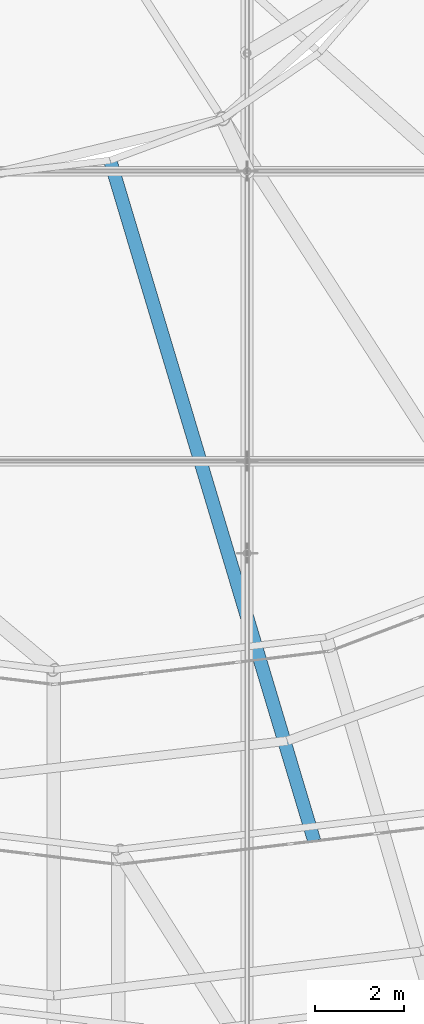
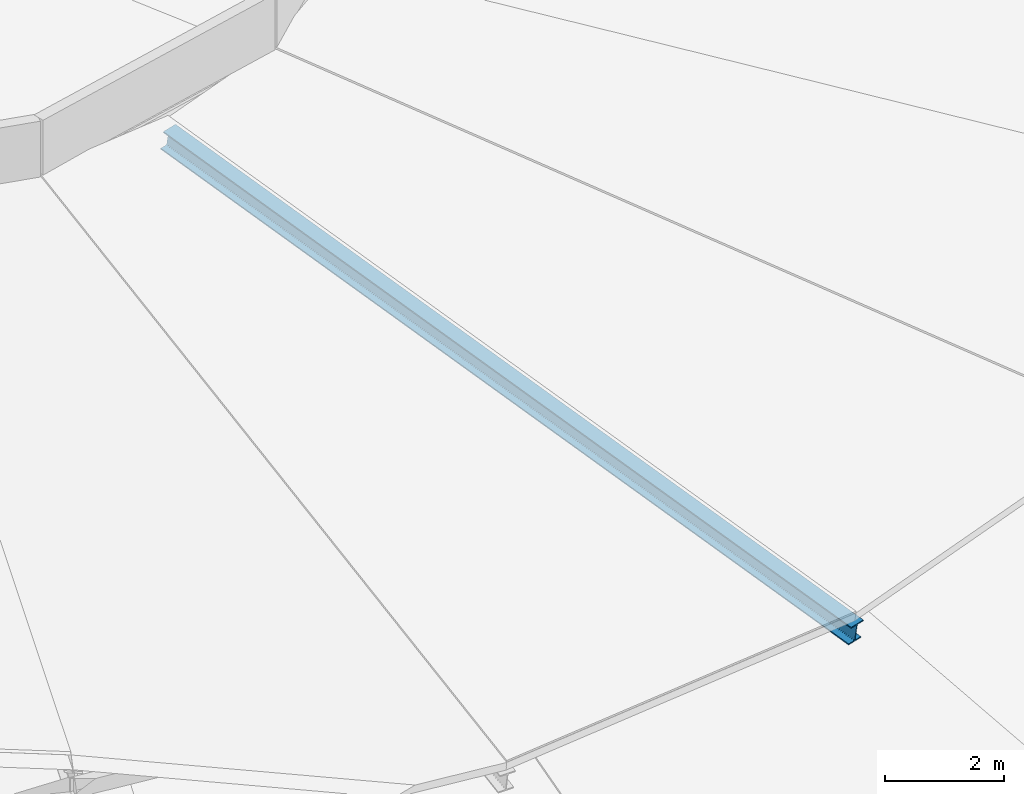
# One storey, part 25 of 173: 1 member.
"""IFC4 building model written with IfcOpenShell, lengths in metres."""

from ifc_helpers import new_model, si_unit, direction, frame, origin, origin_2d, place, context, subcontext, project, spatial, i_section, extrude, material, material_profile, profile_set, type_object, element, save


model = new_model("IFC4")

# Units and contexts
model_context = context("Model", 3, precision=1e-05, world=origin(), true_north=direction((0.0, 1.0)))
body_context = subcontext(model_context, "Body", "Model", "MODEL_VIEW")
ifc_project = project(units=[si_unit("LENGTHUNIT", "METRE"), si_unit("AREAUNIT", "SQUARE_METRE"), si_unit("VOLUMEUNIT", "CUBIC_METRE"), si_unit("PLANEANGLEUNIT", "RADIAN"), si_unit("MASSUNIT", "GRAM", prefix="KILO")], contexts=[model_context])

# Site, building, storey
site_placement = place(None, origin())
site = spatial("IfcSite", under=ifc_project, at=site_placement, CompositionType="ELEMENT")
building_placement = place(site_placement, origin())
building = spatial("IfcBuilding", under=site, at=building_placement, Name="Glasvene Arena", CompositionType="ELEMENT")
storey_placement = place(building_placement, frame((0.0, 0.0, 28.800048828125)))
storey = spatial("IfcBuildingStorey", under=building, at=storey_placement, Name="RF", CompositionType="ELEMENT", Elevation=28.800048828125)

# Member
ifc_material = material(Name="Steel S355J2", Category="steel")
ifc_material_profile = material_profile(ifc_material, i_section(OverallWidth=0.300048828125, OverallDepth=0.39990234375, WebThickness=0.013427734375, FlangeThickness=0.02392578125, FilletRadius=0.027099609375, at=origin_2d()), Name="HEB 400")
ifc_profile_set = profile_set([ifc_material_profile], Name="Steel S355J2")
member_type = type_object("IfcMemberType", Name="MB-CHORD-HEB400", PredefinedType="CHORD", material=ifc_profile_set)
member_placement = place(storey_placement, frame((93.498779296875, 44.05859375, 10.550048828125), z_axis=(-0.283620446933, 0.945854919748, 0.157854087278), x_axis=(-0.957864191411, -0.287221501307, 0.0)))
element("IfcMember", 1, at=member_placement, inside=storey, type_object=member_type, Name="Petal ring 5 radial rib 20", PredefinedType="CHORD", context=body_context, shape_type="SweptSolid", body=[
    extrude(i_section(OverallWidth=0.300048828125, OverallDepth=0.39990234375, WebThickness=0.013427734375, FlangeThickness=0.02392578125, FilletRadius=0.027099609375, at=origin_2d()), origin(), (0.0, 0.0, 1.0), 16.15283203125),
])

save(model, "model.ifc")
